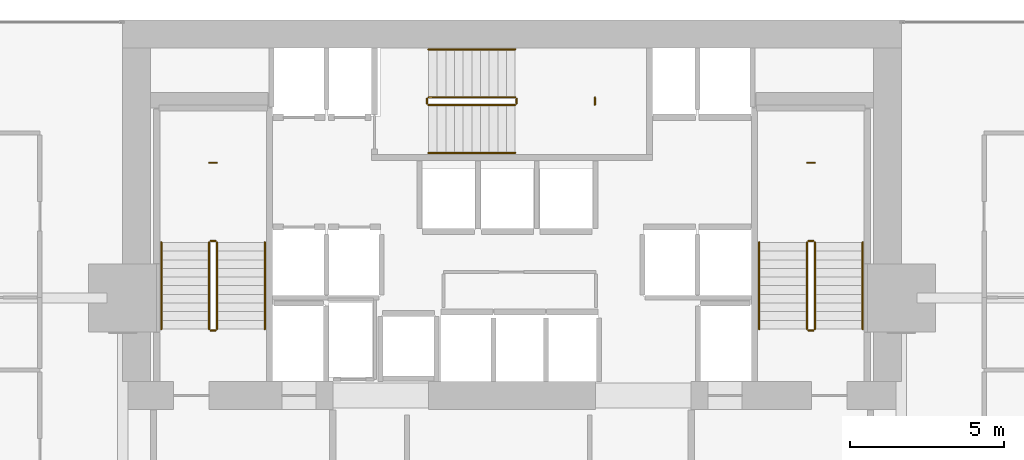
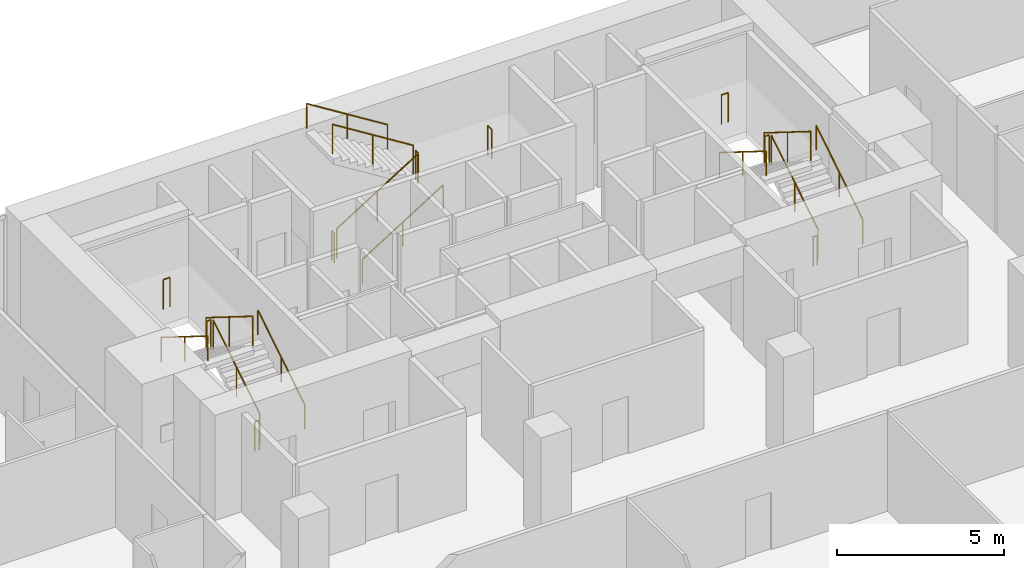
# One storey, part 40 of 40: 21 railings.
"""IFC4 building model written with IfcOpenShell, lengths in metres."""

from ifc_helpers import new_model, si_unit, direction, frame, origin, origin_2d, place, context, subcontext, project, spatial, circle, extrude, material, type_object, element, save


model = new_model("IFC4")

# Units and contexts
model_context = context("Model", 3, precision=1e-05, world=origin(), true_north=direction((0.0, 1.0)))
body_context = subcontext(model_context, "Body", "Model", "MODEL_VIEW")
ifc_project = project(units=[si_unit("LENGTHUNIT", "METRE"), si_unit("AREAUNIT", "SQUARE_METRE"), si_unit("VOLUMEUNIT", "CUBIC_METRE"), si_unit("PLANEANGLEUNIT", "RADIAN"), si_unit("MASSUNIT", "GRAM", prefix="KILO")], contexts=[model_context])

# Site, building, storey
site_placement = place(None, origin())
site = spatial("IfcSite", under=ifc_project, at=site_placement, CompositionType="ELEMENT")
building_placement = place(site_placement, origin())
building = spatial("IfcBuilding", under=site, at=building_placement, Name="Maruvema Waterfront Hotel and Observation Tower", CompositionType="ELEMENT")
storey_placement = place(building_placement, frame((0.0, 0.0, 30.800048828125)))
storey = spatial("IfcBuildingStorey", under=building, at=storey_placement, Name="L06", CompositionType="ELEMENT", Elevation=30.800048828125)

# Railings
ifc_material_1 = material(Name="Brushed stainless steel Grade 316", Category="steel")
railing_type_1 = type_object("IfcRailingType", Name="Ramp Continuous Wall Handrail 920 mm", PredefinedType="HANDRAIL", material=ifc_material_1)
railing_1_placement = place(storey_placement, frame((29.800048828125, 44.0, 0.175048828125)))
element("IfcRailing", 1, at=railing_1_placement, inside=storey, type_object=railing_type_1, Name="L06 ST-01 stair handrail 1", PredefinedType="HANDRAIL", context=body_context, shape_type="SweptSolid", body=[
    extrude(circle(Radius=0.02392578125, at=origin_2d()), frame((0.0, 0.0, 0.89599609375), z_axis=(0.0, 0.848002457836, 0.529992293815), x_axis=(-1.0, 0.0, 0.0)), (0.0, 0.0, 1.0), 3.302001953125),
    extrude(circle(Radius=0.02099609375, at=origin_2d()), origin(), (0.0, 0.0, 1.0), 0.871826171875),
    extrude(circle(Radius=0.02099609375, at=origin_2d()), frame((0.0, 1.39990234375, 0.875)), (0.0, 0.0, 1.0), 0.871826171875),
    extrude(circle(Radius=0.02099609375, at=origin_2d()), frame((0.0, 2.800048828125, 1.75)), (0.0, 0.0, 1.0), 0.871826171875),
])
railing_2_placement = place(storey_placement, frame((26.449951171875, 46.800048828125, 2.099853515625)))
element("IfcRailing", 2, at=railing_2_placement, inside=storey, type_object=railing_type_1, Name="L06 ST-01 stair handrail 2", PredefinedType="HANDRAIL", context=body_context, shape_type="SweptSolid", body=[
    extrude(circle(Radius=0.02392578125, at=origin_2d()), frame((0.0, 0.0, 0.89599609375), z_axis=(0.0, -0.848002457836, 0.529992293815), x_axis=(1.0, 0.0, 0.0)), (0.0, 0.0, 1.0), 3.302001953125),
    extrude(circle(Radius=0.02099609375, at=origin_2d()), origin(), (0.0, 0.0, 1.0), 0.871826171875),
    extrude(circle(Radius=0.02099609375, at=origin_2d()), frame((0.0, -1.39990234375, 0.875)), (0.0, 0.0, 1.0), 0.871826171875),
    extrude(circle(Radius=0.02099609375, at=origin_2d()), frame((0.0, -2.800048828125, 1.75)), (0.0, 0.0, 1.0), 0.871826171875),
])
railing_3_placement = place(storey_placement, frame((35.10009765625, 49.699951171875, 0.175048828125)))
element("IfcRailing", 3, at=railing_3_placement, inside=storey, type_object=railing_type_1, Name="L06 ST-02 stair handrail 1", PredefinedType="HANDRAIL", context=body_context, shape_type="SweptSolid", body=[
    extrude(circle(Radius=0.02392578125, at=origin_2d()), frame((0.0, 0.0, 0.89599609375), z_axis=(0.847981687118, 0.0, 0.530025526095), x_axis=(0.0, 1.0, 0.0)), (0.0, 0.0, 1.0), 3.3017578125),
    extrude(circle(Radius=0.02099609375, at=origin_2d()), origin(), (0.0, 0.0, 1.0), 0.871826171875),
    extrude(circle(Radius=0.02099609375, at=origin_2d()), frame((1.39990234375, 0.0, 0.875)), (0.0, 0.0, 1.0), 0.871826171875),
    extrude(circle(Radius=0.02099609375, at=origin_2d()), frame((2.7998046875, 0.0, 1.75)), (0.0, 0.0, 1.0), 0.871826171875),
])
railing_4_placement = place(storey_placement, frame((37.89990234375, 53.050048828125, 2.099853515625)))
element("IfcRailing", 4, at=railing_4_placement, inside=storey, type_object=railing_type_1, Name="L06 ST-02 stair handrail 2", PredefinedType="HANDRAIL", context=body_context, shape_type="SweptSolid", body=[
    extrude(circle(Radius=0.02392578125, at=origin_2d()), frame((0.0, 0.0, 0.89599609375), z_axis=(-0.847981687118, 0.0, 0.530025526095), x_axis=(0.0, -1.0, 0.0)), (0.0, 0.0, 1.0), 3.3017578125),
    extrude(circle(Radius=0.02099609375, at=origin_2d()), origin(), (0.0, 0.0, 1.0), 0.871826171875),
    extrude(circle(Radius=0.02099609375, at=origin_2d()), frame((-1.39990234375, 0.0, 0.875)), (0.0, 0.0, 1.0), 0.871826171875),
    extrude(circle(Radius=0.02099609375, at=origin_2d()), frame((-2.7998046875, 0.0, 1.75)), (0.0, 0.0, 1.0), 0.871826171875),
])
railing_5_placement = place(storey_placement, frame((49.14990234375, 44.0, 0.175048828125)))
element("IfcRailing", 5, at=railing_5_placement, inside=storey, type_object=railing_type_1, Name="L06 ST-03 stair handrail 1", PredefinedType="HANDRAIL", context=body_context, shape_type="SweptSolid", body=[
    extrude(circle(Radius=0.02392578125, at=origin_2d()), frame((0.0, 0.0, 0.89599609375), z_axis=(0.0, 0.848002457836, 0.529992293815), x_axis=(-1.0, 0.0, 0.0)), (0.0, 0.0, 1.0), 3.302001953125),
    extrude(circle(Radius=0.02099609375, at=origin_2d()), origin(), (0.0, 0.0, 1.0), 0.871826171875),
    extrude(circle(Radius=0.02099609375, at=origin_2d()), frame((0.0, 1.39990234375, 0.875)), (0.0, 0.0, 1.0), 0.871826171875),
    extrude(circle(Radius=0.02099609375, at=origin_2d()), frame((0.0, 2.800048828125, 1.75)), (0.0, 0.0, 1.0), 0.871826171875),
])
railing_6_placement = place(storey_placement, frame((45.800048828125, 46.800048828125, 2.099853515625)))
element("IfcRailing", 6, at=railing_6_placement, inside=storey, type_object=railing_type_1, Name="L06 ST-03 stair handrail 2", PredefinedType="HANDRAIL", context=body_context, shape_type="SweptSolid", body=[
    extrude(circle(Radius=0.02392578125, at=origin_2d()), frame((0.0, 0.0, 0.89599609375), z_axis=(0.0, -0.848002457836, 0.529992293815), x_axis=(1.0, 0.0, 0.0)), (0.0, 0.0, 1.0), 3.302001953125),
    extrude(circle(Radius=0.02099609375, at=origin_2d()), origin(), (0.0, 0.0, 1.0), 0.871826171875),
    extrude(circle(Radius=0.02099609375, at=origin_2d()), frame((0.0, -1.39990234375, 0.875)), (0.0, 0.0, 1.0), 0.871826171875),
    extrude(circle(Radius=0.02099609375, at=origin_2d()), frame((0.0, -2.800048828125, 1.75)), (0.0, 0.0, 1.0), 0.871826171875),
])
ifc_material_2 = material(Name="Brushed stainless steel Grade 316", Category="steel")
railing_type_2 = type_object("IfcRailingType", Name="Ramp and Terrace Guard Balustrade 1100 mm", PredefinedType="BALUSTRADE", material=ifc_material_2)
railing_7_placement = place(storey_placement, frame((28.25, 44.0, 0.175048828125)))
element("IfcRailing", 7, at=railing_7_placement, inside=storey, type_object=railing_type_2, Name="L06 ST-01 stair guard 1", PredefinedType="BALUSTRADE", context=body_context, shape_type="SweptSolid", body=[
    extrude(circle(Radius=0.02392578125, at=origin_2d()), frame((0.0, 0.0, 1.076171875), z_axis=(0.0, 0.848002457836, 0.529992293815), x_axis=(-1.0, 0.0, 0.0)), (0.0, 0.0, 1.0), 3.302001953125),
    extrude(circle(Radius=0.02099609375, at=origin_2d()), origin(), (0.0, 0.0, 1.0), 1.052001953125),
    extrude(circle(Radius=0.02099609375, at=origin_2d()), frame((0.0, 1.39990234375, 0.875)), (0.0, 0.0, 1.0), 1.052001953125),
    extrude(circle(Radius=0.02099609375, at=origin_2d()), frame((0.0, 2.800048828125, 1.75)), (0.0, 0.0, 1.0), 1.052001953125),
])
railing_8_placement = place(storey_placement, frame((28.199951171875, 46.85009765625, 1.925048828125)))
element("IfcRailing", 8, at=railing_8_placement, inside=storey, type_object=railing_type_2, Name="L06 ST-01 stair guard 2", PredefinedType="BALUSTRADE", context=body_context, shape_type="SweptSolid", body=[
    extrude(circle(Radius=0.02392578125, at=origin_2d()), frame((0.0, 0.0, 1.076171875), z_axis=(-1.0, 0.0, 0.0), x_axis=(0.0, -1.0, 0.0)), (0.0, 0.0, 1.0), 0.14990234375),
    extrude(circle(Radius=0.02099609375, at=origin_2d()), origin(), (0.0, 0.0, 1.0), 1.052001953125),
    extrude(circle(Radius=0.02099609375, at=origin_2d()), frame((-0.14990234375, 0.0, 0.0)), (0.0, 0.0, 1.0), 1.052001953125),
])
railing_9_placement = place(storey_placement, frame((28.0, 46.800048828125, 2.099853515625)))
element("IfcRailing", 9, at=railing_9_placement, inside=storey, type_object=railing_type_2, Name="L06 ST-01 stair guard 3", PredefinedType="BALUSTRADE", context=body_context, shape_type="SweptSolid", body=[
    extrude(circle(Radius=0.02392578125, at=origin_2d()), frame((0.0, 0.0, 1.076171875), z_axis=(0.0, -0.848002457836, 0.529992293815), x_axis=(1.0, 0.0, 0.0)), (0.0, 0.0, 1.0), 3.302001953125),
    extrude(circle(Radius=0.02099609375, at=origin_2d()), origin(), (0.0, 0.0, 1.0), 1.052001953125),
    extrude(circle(Radius=0.02099609375, at=origin_2d()), frame((0.0, -1.39990234375, 0.875)), (0.0, 0.0, 1.0), 1.052001953125),
    extrude(circle(Radius=0.02099609375, at=origin_2d()), frame((0.0, -2.800048828125, 1.75)), (0.0, 0.0, 1.0), 1.052001953125),
])
railing_10_placement = place(storey_placement, frame((28.199951171875, 43.949951171875, 0.0)))
element("IfcRailing", 10, at=railing_10_placement, inside=storey, type_object=railing_type_2, Name="L06 ST-01 stair guard 4", PredefinedType="BALUSTRADE", context=body_context, shape_type="SweptSolid", body=[
    extrude(circle(Radius=0.02392578125, at=origin_2d()), frame((0.0, 0.0, 1.076171875), z_axis=(-1.0, 0.0, 0.0), x_axis=(0.0, -1.0, 0.0)), (0.0, 0.0, 1.0), 0.14990234375),
    extrude(circle(Radius=0.02099609375, at=origin_2d()), origin(), (0.0, 0.0, 1.0), 1.052001953125),
    extrude(circle(Radius=0.02099609375, at=origin_2d()), frame((-0.14990234375, 0.0, 0.0)), (0.0, 0.0, 1.0), 1.052001953125),
])
railing_11_placement = place(storey_placement, frame((28.239990234375, 49.3798828125, 1.925048828125)))
element("IfcRailing", 11, at=railing_11_placement, inside=storey, type_object=railing_type_2, Name="L06 ST-01 Half-Landing Slot Guard", PredefinedType="BALUSTRADE", context=body_context, shape_type="SweptSolid", body=[
    extrude(circle(Radius=0.02392578125, at=origin_2d()), frame((0.0, 0.0, 1.076171875), z_axis=(-1.0, 0.0, 0.0), x_axis=(0.0, -1.0, 0.0)), (0.0, 0.0, 1.0), 0.22998046875),
    extrude(circle(Radius=0.02099609375, at=origin_2d()), origin(), (0.0, 0.0, 1.0), 1.052001953125),
    extrude(circle(Radius=0.02099609375, at=origin_2d()), frame((-0.22998046875, 0.0, 0.0)), (0.0, 0.0, 1.0), 1.052001953125),
])
railing_12_placement = place(storey_placement, frame((35.10009765625, 51.25, 0.175048828125)))
element("IfcRailing", 12, at=railing_12_placement, inside=storey, type_object=railing_type_2, Name="L06 ST-02 stair guard 1", PredefinedType="BALUSTRADE", context=body_context, shape_type="SweptSolid", body=[
    extrude(circle(Radius=0.02392578125, at=origin_2d()), frame((0.0, 0.0, 1.076171875), z_axis=(0.847981687118, 0.0, 0.530025526095), x_axis=(0.0, 1.0, 0.0)), (0.0, 0.0, 1.0), 3.3017578125),
    extrude(circle(Radius=0.02099609375, at=origin_2d()), origin(), (0.0, 0.0, 1.0), 1.052001953125),
    extrude(circle(Radius=0.02099609375, at=origin_2d()), frame((1.39990234375, 0.0, 0.875)), (0.0, 0.0, 1.0), 1.052001953125),
    extrude(circle(Radius=0.02099609375, at=origin_2d()), frame((2.7998046875, 0.0, 1.75)), (0.0, 0.0, 1.0), 1.052001953125),
])
railing_13_placement = place(storey_placement, frame((37.949951171875, 51.300048828125, 1.925048828125)))
element("IfcRailing", 13, at=railing_13_placement, inside=storey, type_object=railing_type_2, Name="L06 ST-02 stair guard 2", PredefinedType="BALUSTRADE", context=body_context, shape_type="SweptSolid", body=[
    extrude(circle(Radius=0.02392578125, at=origin_2d()), frame((0.0, 0.0, 1.076171875), z_axis=(0.0, 1.0, 0.0), x_axis=(-1.0, 0.0, 0.0)), (0.0, 0.0, 1.0), 0.14990234375),
    extrude(circle(Radius=0.02099609375, at=origin_2d()), origin(), (0.0, 0.0, 1.0), 1.052001953125),
    extrude(circle(Radius=0.02099609375, at=origin_2d()), frame((0.0, 0.14990234375, 0.0)), (0.0, 0.0, 1.0), 1.052001953125),
])
railing_14_placement = place(storey_placement, frame((37.89990234375, 51.5, 2.099853515625)))
element("IfcRailing", 14, at=railing_14_placement, inside=storey, type_object=railing_type_2, Name="L06 ST-02 stair guard 3", PredefinedType="BALUSTRADE", context=body_context, shape_type="SweptSolid", body=[
    extrude(circle(Radius=0.02392578125, at=origin_2d()), frame((0.0, 0.0, 1.076171875), z_axis=(-0.847981687118, 0.0, 0.530025526095), x_axis=(0.0, -1.0, 0.0)), (0.0, 0.0, 1.0), 3.3017578125),
    extrude(circle(Radius=0.02099609375, at=origin_2d()), origin(), (0.0, 0.0, 1.0), 1.052001953125),
    extrude(circle(Radius=0.02099609375, at=origin_2d()), frame((-1.39990234375, 0.0, 0.875)), (0.0, 0.0, 1.0), 1.052001953125),
    extrude(circle(Radius=0.02099609375, at=origin_2d()), frame((-2.7998046875, 0.0, 1.75)), (0.0, 0.0, 1.0), 1.052001953125),
])
railing_15_placement = place(storey_placement, frame((35.050048828125, 51.300048828125, 0.0)))
element("IfcRailing", 15, at=railing_15_placement, inside=storey, type_object=railing_type_2, Name="L06 ST-02 stair guard 4", PredefinedType="BALUSTRADE", context=body_context, shape_type="SweptSolid", body=[
    extrude(circle(Radius=0.02392578125, at=origin_2d()), frame((0.0, 0.0, 1.076171875), z_axis=(0.0, 1.0, 0.0), x_axis=(-1.0, 0.0, 0.0)), (0.0, 0.0, 1.0), 0.14990234375),
    extrude(circle(Radius=0.02099609375, at=origin_2d()), origin(), (0.0, 0.0, 1.0), 1.052001953125),
    extrude(circle(Radius=0.02099609375, at=origin_2d()), frame((0.0, 0.14990234375, 0.0)), (0.0, 0.0, 1.0), 1.052001953125),
])
railing_16_placement = place(storey_placement, frame((40.47998046875, 51.260009765625, 1.925048828125)))
element("IfcRailing", 16, at=railing_16_placement, inside=storey, type_object=railing_type_2, Name="L06 ST-02 Half-Landing Slot Guard", PredefinedType="BALUSTRADE", context=body_context, shape_type="SweptSolid", body=[
    extrude(circle(Radius=0.02392578125, at=origin_2d()), frame((0.0, 0.0, 1.076171875), z_axis=(0.0, 1.0, 0.0), x_axis=(-1.0, 0.0, 0.0)), (0.0, 0.0, 1.0), 0.22998046875),
    extrude(circle(Radius=0.02099609375, at=origin_2d()), origin(), (0.0, 0.0, 1.0), 1.052001953125),
    extrude(circle(Radius=0.02099609375, at=origin_2d()), frame((0.0, 0.22998046875, 0.0)), (0.0, 0.0, 1.0), 1.052001953125),
])
railing_17_placement = place(storey_placement, frame((47.60009765625, 44.0, 0.175048828125)))
element("IfcRailing", 17, at=railing_17_placement, inside=storey, type_object=railing_type_2, Name="L06 ST-03 stair guard 1", PredefinedType="BALUSTRADE", context=body_context, shape_type="SweptSolid", body=[
    extrude(circle(Radius=0.02392578125, at=origin_2d()), frame((0.0, 0.0, 1.076171875), z_axis=(0.0, 0.848002457836, 0.529992293815), x_axis=(-1.0, 0.0, 0.0)), (0.0, 0.0, 1.0), 3.302001953125),
    extrude(circle(Radius=0.02099609375, at=origin_2d()), origin(), (0.0, 0.0, 1.0), 1.052001953125),
    extrude(circle(Radius=0.02099609375, at=origin_2d()), frame((0.0, 1.39990234375, 0.875)), (0.0, 0.0, 1.0), 1.052001953125),
    extrude(circle(Radius=0.02099609375, at=origin_2d()), frame((0.0, 2.800048828125, 1.75)), (0.0, 0.0, 1.0), 1.052001953125),
])
railing_18_placement = place(storey_placement, frame((47.550048828125, 46.85009765625, 1.925048828125)))
element("IfcRailing", 18, at=railing_18_placement, inside=storey, type_object=railing_type_2, Name="L06 ST-03 stair guard 2", PredefinedType="BALUSTRADE", context=body_context, shape_type="SweptSolid", body=[
    extrude(circle(Radius=0.02392578125, at=origin_2d()), frame((0.0, 0.0, 1.076171875), z_axis=(-1.0, 0.0, 0.0), x_axis=(0.0, -1.0, 0.0)), (0.0, 0.0, 1.0), 0.150146484375),
    extrude(circle(Radius=0.02099609375, at=origin_2d()), origin(), (0.0, 0.0, 1.0), 1.052001953125),
    extrude(circle(Radius=0.02099609375, at=origin_2d()), frame((-0.150146484375, 0.0, 0.0)), (0.0, 0.0, 1.0), 1.052001953125),
])
railing_19_placement = place(storey_placement, frame((47.35009765625, 46.800048828125, 2.099853515625)))
element("IfcRailing", 19, at=railing_19_placement, inside=storey, type_object=railing_type_2, Name="L06 ST-03 stair guard 3", PredefinedType="BALUSTRADE", context=body_context, shape_type="SweptSolid", body=[
    extrude(circle(Radius=0.02392578125, at=origin_2d()), frame((0.0, 0.0, 1.076171875), z_axis=(0.0, -0.848002457836, 0.529992293815), x_axis=(1.0, 0.0, 0.0)), (0.0, 0.0, 1.0), 3.302001953125),
    extrude(circle(Radius=0.02099609375, at=origin_2d()), origin(), (0.0, 0.0, 1.0), 1.052001953125),
    extrude(circle(Radius=0.02099609375, at=origin_2d()), frame((0.0, -1.39990234375, 0.875)), (0.0, 0.0, 1.0), 1.052001953125),
    extrude(circle(Radius=0.02099609375, at=origin_2d()), frame((0.0, -2.800048828125, 1.75)), (0.0, 0.0, 1.0), 1.052001953125),
])
railing_20_placement = place(storey_placement, frame((47.550048828125, 43.949951171875, 0.0)))
element("IfcRailing", 20, at=railing_20_placement, inside=storey, type_object=railing_type_2, Name="L06 ST-03 stair guard 4", PredefinedType="BALUSTRADE", context=body_context, shape_type="SweptSolid", body=[
    extrude(circle(Radius=0.02392578125, at=origin_2d()), frame((0.0, 0.0, 1.076171875), z_axis=(-1.0, 0.0, 0.0), x_axis=(0.0, -1.0, 0.0)), (0.0, 0.0, 1.0), 0.150146484375),
    extrude(circle(Radius=0.02099609375, at=origin_2d()), origin(), (0.0, 0.0, 1.0), 1.052001953125),
    extrude(circle(Radius=0.02099609375, at=origin_2d()), frame((-0.150146484375, 0.0, 0.0)), (0.0, 0.0, 1.0), 1.052001953125),
])
railing_21_placement = place(storey_placement, frame((47.590087890625, 49.3798828125, 1.925048828125)))
element("IfcRailing", 21, at=railing_21_placement, inside=storey, type_object=railing_type_2, Name="L06 ST-03 Half-Landing Slot Guard", PredefinedType="BALUSTRADE", context=body_context, shape_type="SweptSolid", body=[
    extrude(circle(Radius=0.02392578125, at=origin_2d()), frame((0.0, 0.0, 1.076171875), z_axis=(-1.0, 0.0, 0.0), x_axis=(0.0, -1.0, 0.0)), (0.0, 0.0, 1.0), 0.22998046875),
    extrude(circle(Radius=0.02099609375, at=origin_2d()), origin(), (0.0, 0.0, 1.0), 1.052001953125),
    extrude(circle(Radius=0.02099609375, at=origin_2d()), frame((-0.22998046875, 0.0, 0.0)), (0.0, 0.0, 1.0), 1.052001953125),
])

save(model, "model.ifc")
